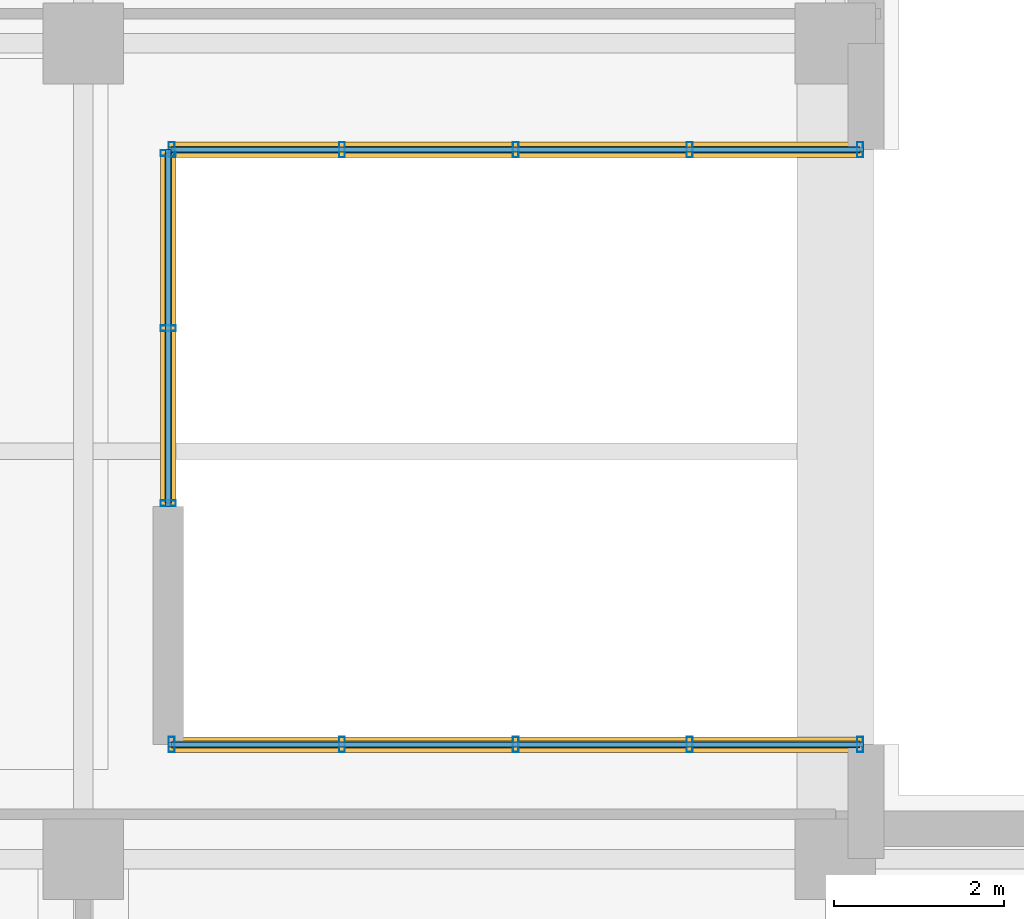
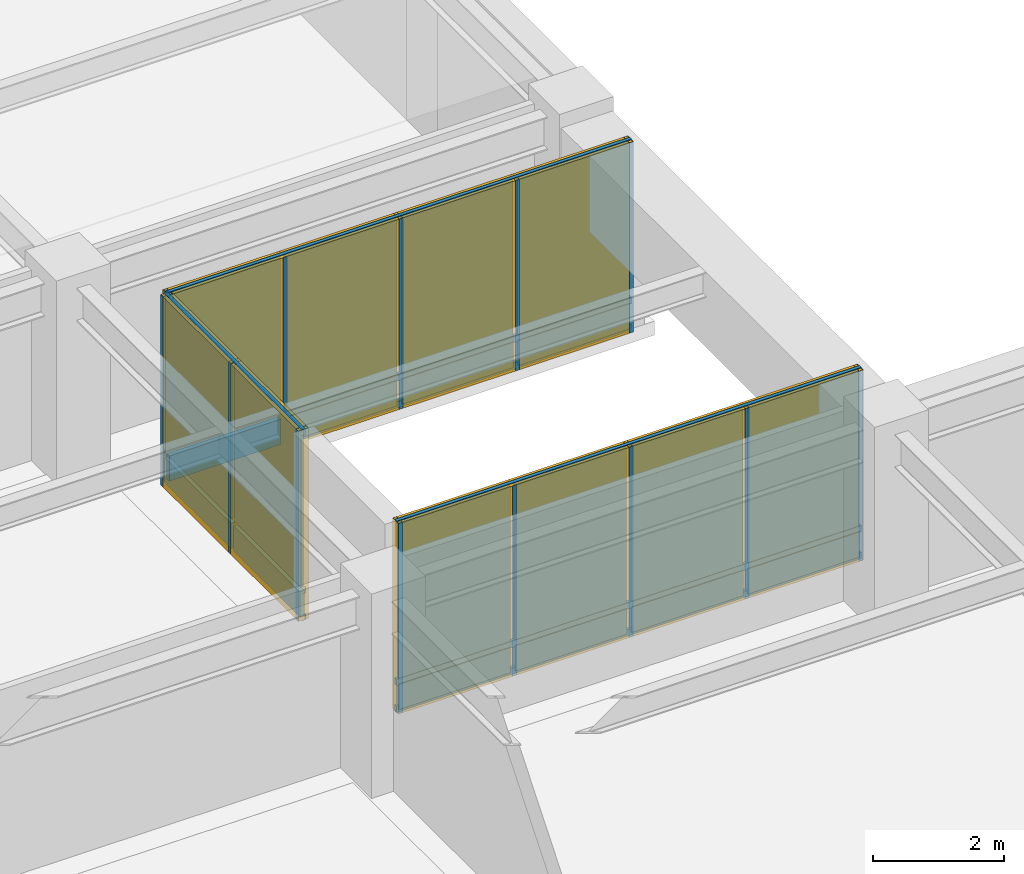
# One storey, part 8 of 13: 22 members, 20 plates, 3 curtain walls.
"""IFC4 building model written with IfcOpenShell, lengths in metres."""

from ifc_helpers import new_model, si_unit, direction, frame, frame_2d, origin, origin_2d, place, context, subcontext, project, spatial, rectangle, hollow_rectangle, extrude, material, layer, layer_set, material_profile, profile_set, type_object, element, aggregate, save


model = new_model("IFC4")

# Units and contexts
model_context = context("Model", 3, precision=1e-05, world=origin(), true_north=direction((0.0, 1.0)))
body_context = subcontext(model_context, "Body", "Model", "MODEL_VIEW")
ifc_project = project(units=[si_unit("LENGTHUNIT", "METRE"), si_unit("AREAUNIT", "SQUARE_METRE"), si_unit("VOLUMEUNIT", "CUBIC_METRE"), si_unit("PLANEANGLEUNIT", "RADIAN"), si_unit("MASSUNIT", "GRAM", prefix="KILO")], contexts=[model_context])

# Member
ifc_material_1 = material(Name="Anodized Aluminium 6063-T6", Category="aluminium")
ifc_material_profile_1 = material_profile(ifc_material_1, hollow_rectangle(XDim=0.070068359375, YDim=0.179931640625, WallThickness=0.00390625, at=origin_2d()), Name="Anodized Aluminium 6063-T6")
ifc_profile_set_1 = profile_set([ifc_material_profile_1], Name="Anodized Aluminium 6063-T6")
member_type_1 = type_object("IfcMemberType", Name="Curtain Wall Mullion 180", PredefinedType="MULLION", material=ifc_profile_set_1)
site_placement = place(None, origin())
building_placement = place(site_placement, origin())
storey_placement = place(building_placement, frame((0.0, 0.0, 171.199951171875)))
member_1_placement = place(storey_placement, frame((29.840087890625, 46.0, 0.0), z_axis=(0.0, 0.0, 1.0), x_axis=(1.0, 0.0, 0.0)))
member_1 = element("IfcMember", 1, at=member_1_placement, type_object=member_type_1, Name="Curtain Wall Mullion CW-L43-SGN-M01", PredefinedType="MULLION", context=body_context, shape_type="SweptSolid", body=[
    extrude(hollow_rectangle(XDim=0.070068359375, YDim=0.179931640625, WallThickness=0.00390625, at=origin_2d()), origin(), (0.0, 0.0, 1.0), 3.5400390625),
])

member_2_placement = place(storey_placement, frame((31.844970703125, 46.0, 0.0), z_axis=(0.0, 0.0, 1.0), x_axis=(1.0, 0.0, 0.0)))
member_2 = element("IfcMember", 2, at=member_2_placement, type_object=member_type_1, Name="Curtain Wall Mullion CW-L43-SGN-M02", PredefinedType="MULLION", context=body_context, shape_type="SweptSolid", body=[
    extrude(hollow_rectangle(XDim=0.070068359375, YDim=0.179931640625, WallThickness=0.00390625, at=origin_2d()), origin(), (0.0, 0.0, 1.0), 3.5400390625),
])

member_3_placement = place(storey_placement, frame((33.889892578125, 46.0, 0.0), z_axis=(0.0, 0.0, 1.0), x_axis=(1.0, 0.0, 0.0)))
member_3 = element("IfcMember", 3, at=member_3_placement, type_object=member_type_1, Name="Curtain Wall Mullion CW-L43-SGN-M03", PredefinedType="MULLION", context=body_context, shape_type="SweptSolid", body=[
    extrude(hollow_rectangle(XDim=0.070068359375, YDim=0.179931640625, WallThickness=0.00390625, at=origin_2d()), origin(), (0.0, 0.0, 1.0), 3.5400390625),
])

member_4_placement = place(storey_placement, frame((35.93505859375, 46.0, 0.0), z_axis=(0.0, 0.0, 1.0), x_axis=(1.0, 0.0, 0.0)))
member_4 = element("IfcMember", 4, at=member_4_placement, type_object=member_type_1, Name="Curtain Wall Mullion CW-L43-SGN-M04", PredefinedType="MULLION", context=body_context, shape_type="SweptSolid", body=[
    extrude(hollow_rectangle(XDim=0.070068359375, YDim=0.179931640625, WallThickness=0.00390625, at=origin_2d()), origin(), (0.0, 0.0, 1.0), 3.5400390625),
])

member_5_placement = place(storey_placement, frame((37.93994140625, 46.0, 0.0), z_axis=(0.0, 0.0, 1.0), x_axis=(1.0, 0.0, 0.0)))
member_5 = element("IfcMember", 5, at=member_5_placement, type_object=member_type_1, Name="Curtain Wall Mullion CW-L43-SGN-M05", PredefinedType="MULLION", context=body_context, shape_type="SweptSolid", body=[
    extrude(hollow_rectangle(XDim=0.070068359375, YDim=0.179931640625, WallThickness=0.00390625, at=origin_2d()), origin(), (0.0, 0.0, 1.0), 3.5400390625),
])

member_6_placement = place(storey_placement, frame((29.840087890625, 39.0, 0.0), z_axis=(0.0, 0.0, 1.0), x_axis=(1.0, 0.0, 0.0)))
member_6 = element("IfcMember", 6, at=member_6_placement, type_object=member_type_1, Name="Curtain Wall Mullion CW-L43-SGS-M01", PredefinedType="MULLION", context=body_context, shape_type="SweptSolid", body=[
    extrude(hollow_rectangle(XDim=0.070068359375, YDim=0.179931640625, WallThickness=0.00390625, at=origin_2d()), origin(), (0.0, 0.0, 1.0), 3.5400390625),
])

member_7_placement = place(storey_placement, frame((31.844970703125, 39.0, 0.0), z_axis=(0.0, 0.0, 1.0), x_axis=(1.0, 0.0, 0.0)))
member_7 = element("IfcMember", 7, at=member_7_placement, type_object=member_type_1, Name="Curtain Wall Mullion CW-L43-SGS-M02", PredefinedType="MULLION", context=body_context, shape_type="SweptSolid", body=[
    extrude(hollow_rectangle(XDim=0.070068359375, YDim=0.179931640625, WallThickness=0.00390625, at=origin_2d()), origin(), (0.0, 0.0, 1.0), 3.5400390625),
])

member_8_placement = place(storey_placement, frame((33.889892578125, 39.0, 0.0), z_axis=(0.0, 0.0, 1.0), x_axis=(1.0, 0.0, 0.0)))
member_8 = element("IfcMember", 8, at=member_8_placement, type_object=member_type_1, Name="Curtain Wall Mullion CW-L43-SGS-M03", PredefinedType="MULLION", context=body_context, shape_type="SweptSolid", body=[
    extrude(hollow_rectangle(XDim=0.070068359375, YDim=0.179931640625, WallThickness=0.00390625, at=origin_2d()), origin(), (0.0, 0.0, 1.0), 3.5400390625),
])

member_9_placement = place(storey_placement, frame((35.93505859375, 39.0, 0.0), z_axis=(0.0, 0.0, 1.0), x_axis=(1.0, 0.0, 0.0)))
member_9 = element("IfcMember", 9, at=member_9_placement, type_object=member_type_1, Name="Curtain Wall Mullion CW-L43-SGS-M04", PredefinedType="MULLION", context=body_context, shape_type="SweptSolid", body=[
    extrude(hollow_rectangle(XDim=0.070068359375, YDim=0.179931640625, WallThickness=0.00390625, at=origin_2d()), origin(), (0.0, 0.0, 1.0), 3.5400390625),
])

member_10_placement = place(storey_placement, frame((37.93994140625, 39.0, 0.0), z_axis=(0.0, 0.0, 1.0), x_axis=(1.0, 0.0, 0.0)))
member_10 = element("IfcMember", 10, at=member_10_placement, type_object=member_type_1, Name="Curtain Wall Mullion CW-L43-SGS-M05", PredefinedType="MULLION", context=body_context, shape_type="SweptSolid", body=[
    extrude(hollow_rectangle(XDim=0.070068359375, YDim=0.179931640625, WallThickness=0.00390625, at=origin_2d()), origin(), (0.0, 0.0, 1.0), 3.5400390625),
])

member_11_placement = place(storey_placement, frame((29.800048828125, 41.840087890625, 0.0), z_axis=(0.0, 0.0, 1.0), x_axis=(0.0, 1.0, 0.0)))
member_11 = element("IfcMember", 11, at=member_11_placement, type_object=member_type_1, Name="Curtain Wall Mullion CW-L43-SGW-M01", PredefinedType="MULLION", context=body_context, shape_type="SweptSolid", body=[
    extrude(hollow_rectangle(XDim=0.070068359375, YDim=0.179931640625, WallThickness=0.00390625, at=origin_2d()), origin(), (0.0, 0.0, 1.0), 3.5400390625),
])

member_12_placement = place(storey_placement, frame((29.800048828125, 43.89990234375, 0.0), z_axis=(0.0, 0.0, 1.0), x_axis=(0.0, 1.0, 0.0)))
member_12 = element("IfcMember", 12, at=member_12_placement, type_object=member_type_1, Name="Curtain Wall Mullion CW-L43-SGW-M02", PredefinedType="MULLION", context=body_context, shape_type="SweptSolid", body=[
    extrude(hollow_rectangle(XDim=0.070068359375, YDim=0.179931640625, WallThickness=0.00390625, at=origin_2d()), origin(), (0.0, 0.0, 1.0), 3.5400390625),
])

member_13_placement = place(storey_placement, frame((29.800048828125, 45.9599609375, 0.0), z_axis=(0.0, 0.0, 1.0), x_axis=(0.0, 1.0, 0.0)))
member_13 = element("IfcMember", 13, at=member_13_placement, type_object=member_type_1, Name="Curtain Wall Mullion CW-L43-SGW-M03", PredefinedType="MULLION", context=body_context, shape_type="SweptSolid", body=[
    extrude(hollow_rectangle(XDim=0.070068359375, YDim=0.179931640625, WallThickness=0.00390625, at=origin_2d()), origin(), (0.0, 0.0, 1.0), 3.5400390625),
])

ifc_material_profile_2 = material_profile(ifc_material_1, hollow_rectangle(XDim=0.06005859375, YDim=0.1201171875, WallThickness=0.00341796875, at=origin_2d()), Name="Anodized Aluminium 6063-T6")
ifc_profile_set_2 = profile_set([ifc_material_profile_2], Name="Anodized Aluminium 6063-T6")
member_type_2 = type_object("IfcMemberType", Name="Curtain Wall Transom 120", PredefinedType="USERDEFINED", material=ifc_profile_set_2)
member_14_placement = place(storey_placement, frame((29.800048828125, 46.0, 0.050048828125), z_axis=(1.0, 0.0, 0.0), x_axis=(0.0, 1.0, 0.0)))
member_14 = element("IfcMember", 14, at=member_14_placement, type_object=member_type_2, Name="Curtain Wall Transom CW-L43-SGN-T01", ObjectType="TRANSOM", PredefinedType="USERDEFINED", context=body_context, shape_type="SweptSolid", body=[
    extrude(hollow_rectangle(XDim=0.06005859375, YDim=0.1201171875, WallThickness=0.00341796875, at=origin_2d()), origin(), (0.0, 0.0, 1.0), 8.179931640625),
])

member_15_placement = place(storey_placement, frame((29.800048828125, 46.0, 0.550048828125), z_axis=(1.0, 0.0, 0.0), x_axis=(0.0, 1.0, 0.0)))
member_15 = element("IfcMember", 15, at=member_15_placement, type_object=member_type_2, Name="Curtain Wall Transom CW-L43-SGN-T02", ObjectType="TRANSOM", PredefinedType="USERDEFINED", context=body_context, shape_type="SweptSolid", body=[
    extrude(hollow_rectangle(XDim=0.06005859375, YDim=0.1201171875, WallThickness=0.00341796875, at=origin_2d()), origin(), (0.0, 0.0, 1.0), 8.179931640625),
])

member_16_placement = place(storey_placement, frame((29.800048828125, 46.0, 3.489990234375), z_axis=(1.0, 0.0, 0.0), x_axis=(0.0, 1.0, 0.0)))
member_16 = element("IfcMember", 16, at=member_16_placement, type_object=member_type_2, Name="Curtain Wall Transom CW-L43-SGN-T03", ObjectType="TRANSOM", PredefinedType="USERDEFINED", context=body_context, shape_type="SweptSolid", body=[
    extrude(hollow_rectangle(XDim=0.06005859375, YDim=0.1201171875, WallThickness=0.00341796875, at=origin_2d()), origin(), (0.0, 0.0, 1.0), 8.179931640625),
])

member_17_placement = place(storey_placement, frame((29.800048828125, 39.0, 0.050048828125), z_axis=(1.0, 0.0, 0.0), x_axis=(0.0, 1.0, 0.0)))
member_17 = element("IfcMember", 17, at=member_17_placement, type_object=member_type_2, Name="Curtain Wall Transom CW-L43-SGS-T01", ObjectType="TRANSOM", PredefinedType="USERDEFINED", context=body_context, shape_type="SweptSolid", body=[
    extrude(hollow_rectangle(XDim=0.06005859375, YDim=0.1201171875, WallThickness=0.00341796875, at=origin_2d()), origin(), (0.0, 0.0, 1.0), 8.179931640625),
])

member_18_placement = place(storey_placement, frame((29.800048828125, 39.0, 0.550048828125), z_axis=(1.0, 0.0, 0.0), x_axis=(0.0, 1.0, 0.0)))
member_18 = element("IfcMember", 18, at=member_18_placement, type_object=member_type_2, Name="Curtain Wall Transom CW-L43-SGS-T02", ObjectType="TRANSOM", PredefinedType="USERDEFINED", context=body_context, shape_type="SweptSolid", body=[
    extrude(hollow_rectangle(XDim=0.06005859375, YDim=0.1201171875, WallThickness=0.00341796875, at=origin_2d()), origin(), (0.0, 0.0, 1.0), 8.179931640625),
])

member_19_placement = place(storey_placement, frame((29.800048828125, 39.0, 3.489990234375), z_axis=(1.0, 0.0, 0.0), x_axis=(0.0, 1.0, 0.0)))
member_19 = element("IfcMember", 19, at=member_19_placement, type_object=member_type_2, Name="Curtain Wall Transom CW-L43-SGS-T03", ObjectType="TRANSOM", PredefinedType="USERDEFINED", context=body_context, shape_type="SweptSolid", body=[
    extrude(hollow_rectangle(XDim=0.06005859375, YDim=0.1201171875, WallThickness=0.00341796875, at=origin_2d()), origin(), (0.0, 0.0, 1.0), 8.179931640625),
])

member_20_placement = place(storey_placement, frame((29.800048828125, 41.800048828125, 0.050048828125), z_axis=(0.0, 1.0, 0.0), x_axis=(-1.0, 0.0, 0.0)))
member_20 = element("IfcMember", 20, at=member_20_placement, type_object=member_type_2, Name="Curtain Wall Transom CW-L43-SGW-T01", ObjectType="TRANSOM", PredefinedType="USERDEFINED", context=body_context, shape_type="SweptSolid", body=[
    extrude(hollow_rectangle(XDim=0.06005859375, YDim=0.1201171875, WallThickness=0.00341796875, at=origin_2d()), origin(), (0.0, 0.0, 1.0), 4.199951171875),
])

member_21_placement = place(storey_placement, frame((29.800048828125, 41.800048828125, 0.550048828125), z_axis=(0.0, 1.0, 0.0), x_axis=(-1.0, 0.0, 0.0)))
member_21 = element("IfcMember", 21, at=member_21_placement, type_object=member_type_2, Name="Curtain Wall Transom CW-L43-SGW-T02", ObjectType="TRANSOM", PredefinedType="USERDEFINED", context=body_context, shape_type="SweptSolid", body=[
    extrude(hollow_rectangle(XDim=0.06005859375, YDim=0.1201171875, WallThickness=0.00341796875, at=origin_2d()), origin(), (0.0, 0.0, 1.0), 4.199951171875),
])

member_22_placement = place(storey_placement, frame((29.800048828125, 41.800048828125, 3.489990234375), z_axis=(0.0, 1.0, 0.0), x_axis=(-1.0, 0.0, 0.0)))
member_22 = element("IfcMember", 22, at=member_22_placement, type_object=member_type_2, Name="Curtain Wall Transom CW-L43-SGW-T03", ObjectType="TRANSOM", PredefinedType="USERDEFINED", context=body_context, shape_type="SweptSolid", body=[
    extrude(hollow_rectangle(XDim=0.06005859375, YDim=0.1201171875, WallThickness=0.00341796875, at=origin_2d()), origin(), (0.0, 0.0, 1.0), 4.199951171875),
])

# Plate
ifc_material_2 = material(Name="Bird-Friendly Fritted Triple Glazing", Category="glass")
ifc_layer_1 = layer(ifc_material_2, 0.052001953125, Name="Bird-Friendly Fritted Triple Glazing")
ifc_layer_set_1 = layer_set([ifc_layer_1], Name="Bird-Friendly Fritted Triple Glazing")
plate_type_1 = type_object("IfcPlateType", Name="Plate CWGlazing 52", PredefinedType="CURTAIN_PANEL", material=ifc_layer_set_1)
plate_1_placement = place(storey_placement, frame((30.822509765625, 46.0, 0.59033203125), z_axis=(0.0, 0.0, 1.0), x_axis=(1.0, 0.0, 0.0)))
plate_1 = element("IfcPlate", 23, at=plate_1_placement, type_object=plate_type_1, Name="Vision Glazing Panel CW-L43-SGN-GL01", PredefinedType="CURTAIN_PANEL", context=body_context, shape_type="SweptSolid", body=[
    extrude(rectangle(XDim=1.965087890625, YDim=0.052001953125, at=origin_2d()), origin(), (0.0, 0.0, 1.0), 2.909912109375),
])

plate_2_placement = place(storey_placement, frame((32.867431640625, 46.0, 0.59033203125), z_axis=(0.0, 0.0, 1.0), x_axis=(1.0, 0.0, 0.0)))
plate_2 = element("IfcPlate", 24, at=plate_2_placement, type_object=plate_type_1, Name="Vision Glazing Panel CW-L43-SGN-GL02", PredefinedType="CURTAIN_PANEL", context=body_context, shape_type="SweptSolid", body=[
    extrude(rectangle(XDim=1.965087890625, YDim=0.052001953125, at=origin_2d()), origin(), (0.0, 0.0, 1.0), 2.909912109375),
])

plate_3_placement = place(storey_placement, frame((34.91259765625, 46.0, 0.59033203125), z_axis=(0.0, 0.0, 1.0), x_axis=(1.0, 0.0, 0.0)))
plate_3 = element("IfcPlate", 25, at=plate_3_placement, type_object=plate_type_1, Name="Vision Glazing Panel CW-L43-SGN-GL03", PredefinedType="CURTAIN_PANEL", context=body_context, shape_type="SweptSolid", body=[
    extrude(rectangle(XDim=1.965087890625, YDim=0.052001953125, at=origin_2d()), origin(), (0.0, 0.0, 1.0), 2.909912109375),
])

plate_4_placement = place(storey_placement, frame((36.95751953125, 46.0, 0.59033203125), z_axis=(0.0, 0.0, 1.0), x_axis=(1.0, 0.0, 0.0)))
plate_4 = element("IfcPlate", 26, at=plate_4_placement, type_object=plate_type_1, Name="Vision Glazing Panel CW-L43-SGN-GL04", PredefinedType="CURTAIN_PANEL", context=body_context, shape_type="SweptSolid", body=[
    extrude(rectangle(XDim=1.965087890625, YDim=0.052001953125, at=origin_2d()), origin(), (0.0, 0.0, 1.0), 2.909912109375),
])

plate_5_placement = place(storey_placement, frame((30.822509765625, 39.0, 0.59033203125), z_axis=(0.0, 0.0, 1.0), x_axis=(1.0, 0.0, 0.0)))
plate_5 = element("IfcPlate", 27, at=plate_5_placement, type_object=plate_type_1, Name="Vision Glazing Panel CW-L43-SGS-GL01", PredefinedType="CURTAIN_PANEL", context=body_context, shape_type="SweptSolid", body=[
    extrude(rectangle(XDim=1.965087890625, YDim=0.052001953125, at=origin_2d()), origin(), (0.0, 0.0, 1.0), 2.909912109375),
])

plate_6_placement = place(storey_placement, frame((32.867431640625, 39.0, 0.59033203125), z_axis=(0.0, 0.0, 1.0), x_axis=(1.0, 0.0, 0.0)))
plate_6 = element("IfcPlate", 28, at=plate_6_placement, type_object=plate_type_1, Name="Vision Glazing Panel CW-L43-SGS-GL02", PredefinedType="CURTAIN_PANEL", context=body_context, shape_type="SweptSolid", body=[
    extrude(rectangle(XDim=1.965087890625, YDim=0.052001953125, at=origin_2d()), origin(), (0.0, 0.0, 1.0), 2.909912109375),
])

plate_7_placement = place(storey_placement, frame((34.91259765625, 39.0, 0.59033203125), z_axis=(0.0, 0.0, 1.0), x_axis=(1.0, 0.0, 0.0)))
plate_7 = element("IfcPlate", 29, at=plate_7_placement, type_object=plate_type_1, Name="Vision Glazing Panel CW-L43-SGS-GL03", PredefinedType="CURTAIN_PANEL", context=body_context, shape_type="SweptSolid", body=[
    extrude(rectangle(XDim=1.965087890625, YDim=0.052001953125, at=origin_2d()), origin(), (0.0, 0.0, 1.0), 2.909912109375),
])

plate_8_placement = place(storey_placement, frame((36.95751953125, 39.0, 0.59033203125), z_axis=(0.0, 0.0, 1.0), x_axis=(1.0, 0.0, 0.0)))
plate_8 = element("IfcPlate", 30, at=plate_8_placement, type_object=plate_type_1, Name="Vision Glazing Panel CW-L43-SGS-GL04", PredefinedType="CURTAIN_PANEL", context=body_context, shape_type="SweptSolid", body=[
    extrude(rectangle(XDim=1.965087890625, YDim=0.052001953125, at=origin_2d()), origin(), (0.0, 0.0, 1.0), 2.909912109375),
])

plate_9_placement = place(storey_placement, frame((29.800048828125, 42.85009765625, 0.59033203125), z_axis=(0.0, 0.0, 1.0), x_axis=(0.0, 1.0, 0.0)))
plate_9 = element("IfcPlate", 31, at=plate_9_placement, type_object=plate_type_1, Name="Vision Glazing Panel CW-L43-SGW-GL01", PredefinedType="CURTAIN_PANEL", context=body_context, shape_type="SweptSolid", body=[
    extrude(rectangle(XDim=2.02001953125, YDim=0.052001953125, at=origin_2d()), origin(), (0.0, 0.0, 1.0), 2.909912109375),
])

plate_10_placement = place(storey_placement, frame((29.800048828125, 44.949951171875, 0.59033203125), z_axis=(0.0, 0.0, 1.0), x_axis=(0.0, 1.0, 0.0)))
plate_10 = element("IfcPlate", 32, at=plate_10_placement, type_object=plate_type_1, Name="Vision Glazing Panel CW-L43-SGW-GL02", PredefinedType="CURTAIN_PANEL", context=body_context, shape_type="SweptSolid", body=[
    extrude(rectangle(XDim=2.02001953125, YDim=0.052001953125, at=origin_2d()), origin(), (0.0, 0.0, 1.0), 2.909912109375),
])

ifc_material_3 = material(Name="Insulated Aluminium Spandrel Panel", Category="aluminium")
ifc_layer_2 = layer(ifc_material_3, 0.080078125, Name="Insulated Aluminium Spandrel Panel")
ifc_layer_set_2 = layer_set([ifc_layer_2], Name="Insulated Aluminium Spandrel Panel")
plate_type_2 = type_object("IfcPlateType", Name="Plate CWSpandrel 80", PredefinedType="SHEET", material=ifc_layer_set_2)
plate_11_placement = place(storey_placement, frame((30.822509765625, 46.0, 0.0400390625), z_axis=(0.0, 0.0, 1.0), x_axis=(1.0, 0.0, 0.0)))
plate_11 = element("IfcPlate", 33, at=plate_11_placement, type_object=plate_type_2, Name="Spandrel Panel CW-L43-SGN-SP01", PredefinedType="SHEET", context=body_context, shape_type="SweptSolid", body=[
    extrude(rectangle(XDim=1.965087890625, YDim=0.080078125, at=origin_2d()), origin(), (0.0, 0.0, 1.0), 0.469970703125),
])

plate_12_placement = place(storey_placement, frame((32.867431640625, 46.0, 0.0400390625), z_axis=(0.0, 0.0, 1.0), x_axis=(1.0, 0.0, 0.0)))
plate_12 = element("IfcPlate", 34, at=plate_12_placement, type_object=plate_type_2, Name="Spandrel Panel CW-L43-SGN-SP02", PredefinedType="SHEET", context=body_context, shape_type="SweptSolid", body=[
    extrude(rectangle(XDim=1.965087890625, YDim=0.080078125, at=origin_2d()), origin(), (0.0, 0.0, 1.0), 0.469970703125),
])

plate_13_placement = place(storey_placement, frame((34.91259765625, 46.0, 0.0400390625), z_axis=(0.0, 0.0, 1.0), x_axis=(1.0, 0.0, 0.0)))
plate_13 = element("IfcPlate", 35, at=plate_13_placement, type_object=plate_type_2, Name="Spandrel Panel CW-L43-SGN-SP03", PredefinedType="SHEET", context=body_context, shape_type="SweptSolid", body=[
    extrude(rectangle(XDim=1.965087890625, YDim=0.080078125, at=origin_2d()), origin(), (0.0, 0.0, 1.0), 0.469970703125),
])

plate_14_placement = place(storey_placement, frame((36.95751953125, 46.0, 0.0400390625), z_axis=(0.0, 0.0, 1.0), x_axis=(1.0, 0.0, 0.0)))
plate_14 = element("IfcPlate", 36, at=plate_14_placement, type_object=plate_type_2, Name="Spandrel Panel CW-L43-SGN-SP04", PredefinedType="SHEET", context=body_context, shape_type="SweptSolid", body=[
    extrude(rectangle(XDim=1.965087890625, YDim=0.080078125, at=origin_2d()), origin(), (0.0, 0.0, 1.0), 0.469970703125),
])

plate_15_placement = place(storey_placement, frame((30.822509765625, 39.0, 0.0400390625), z_axis=(0.0, 0.0, 1.0), x_axis=(1.0, 0.0, 0.0)))
plate_15 = element("IfcPlate", 37, at=plate_15_placement, type_object=plate_type_2, Name="Spandrel Panel CW-L43-SGS-SP01", PredefinedType="SHEET", context=body_context, shape_type="SweptSolid", body=[
    extrude(rectangle(XDim=1.965087890625, YDim=0.080078125, at=origin_2d()), origin(), (0.0, 0.0, 1.0), 0.469970703125),
])

plate_16_placement = place(storey_placement, frame((32.867431640625, 39.0, 0.0400390625), z_axis=(0.0, 0.0, 1.0), x_axis=(1.0, 0.0, 0.0)))
plate_16 = element("IfcPlate", 38, at=plate_16_placement, type_object=plate_type_2, Name="Spandrel Panel CW-L43-SGS-SP02", PredefinedType="SHEET", context=body_context, shape_type="SweptSolid", body=[
    extrude(rectangle(XDim=1.965087890625, YDim=0.080078125, at=origin_2d()), origin(), (0.0, 0.0, 1.0), 0.469970703125),
])

plate_17_placement = place(storey_placement, frame((34.91259765625, 39.0, 0.0400390625), z_axis=(0.0, 0.0, 1.0), x_axis=(1.0, 0.0, 0.0)))
plate_17 = element("IfcPlate", 39, at=plate_17_placement, type_object=plate_type_2, Name="Spandrel Panel CW-L43-SGS-SP03", PredefinedType="SHEET", context=body_context, shape_type="SweptSolid", body=[
    extrude(rectangle(XDim=1.965087890625, YDim=0.080078125, at=origin_2d()), origin(), (0.0, 0.0, 1.0), 0.469970703125),
])

plate_18_placement = place(storey_placement, frame((36.95751953125, 39.0, 0.0400390625), z_axis=(0.0, 0.0, 1.0), x_axis=(1.0, 0.0, 0.0)))
plate_18 = element("IfcPlate", 40, at=plate_18_placement, type_object=plate_type_2, Name="Spandrel Panel CW-L43-SGS-SP04", PredefinedType="SHEET", context=body_context, shape_type="SweptSolid", body=[
    extrude(rectangle(XDim=1.965087890625, YDim=0.080078125, at=origin_2d()), origin(), (0.0, 0.0, 1.0), 0.469970703125),
])

plate_19_placement = place(storey_placement, frame((29.800048828125, 42.85009765625, 0.0400390625), z_axis=(0.0, 0.0, 1.0), x_axis=(0.0, 1.0, 0.0)))
plate_19 = element("IfcPlate", 41, at=plate_19_placement, type_object=plate_type_2, Name="Spandrel Panel CW-L43-SGW-SP01", PredefinedType="SHEET", context=body_context, shape_type="SweptSolid", body=[
    extrude(rectangle(XDim=2.02001953125, YDim=0.080078125, at=origin_2d()), origin(), (0.0, 0.0, 1.0), 0.469970703125),
])

plate_20_placement = place(storey_placement, frame((29.800048828125, 44.949951171875, 0.0400390625), z_axis=(0.0, 0.0, 1.0), x_axis=(0.0, 1.0, 0.0)))
plate_20 = element("IfcPlate", 42, at=plate_20_placement, type_object=plate_type_2, Name="Spandrel Panel CW-L43-SGW-SP02", PredefinedType="SHEET", context=body_context, shape_type="SweptSolid", body=[
    extrude(rectangle(XDim=2.02001953125, YDim=0.080078125, at=origin_2d()), origin(), (0.0, 0.0, 1.0), 0.469970703125),
])

# Site, building, storey
site = spatial("IfcSite", under=ifc_project, at=site_placement, CompositionType="ELEMENT")
building = spatial("IfcBuilding", under=site, at=building_placement, Name="Norrvale University Quadrangle", CompositionType="ELEMENT")
storey = spatial("IfcBuildingStorey", under=building, at=storey_placement, Name="L43", CompositionType="ELEMENT", Elevation=171.199951171875)

# Curtain wall
ifc_material_4 = material(Name="Anodized Aluminium and Triple Glazing", Category="glass")
curtain_wall_type = type_object("IfcCurtainWallType", Name="Curtain Wall System 2 Sky Garden", PredefinedType="NOTDEFINED", material=ifc_material_4)
curtain_wall_1_placement = place(storey_placement, frame((29.800048828125, 46.0, 0.0), z_axis=(0.0, 0.0, 1.0), x_axis=(1.0, 0.0, 0.0)))
curtain_wall_1 = element("IfcCurtainWall", 43, at=curtain_wall_1_placement, inside=storey, type_object=curtain_wall_type, Name="Curtain Wall CW System 2 Sky Garden CW-L43-SGN", PredefinedType="NOTDEFINED", context=body_context, shape_type="SweptSolid", body=[
    extrude(rectangle(XDim=8.179931640625, YDim=0.179931640625, at=frame_2d((4.08984375, 0.0))), origin(), (0.0, 0.0, 1.0), 3.5400390625),
])

aggregate(curtain_wall_1, [member_1, member_2, member_3, member_4, member_5, member_14, member_15, member_16, plate_11, plate_1, plate_12, plate_2, plate_13, plate_3, plate_14, plate_4])

curtain_wall_2_placement = place(storey_placement, frame((29.800048828125, 39.0, 0.0), z_axis=(0.0, 0.0, 1.0), x_axis=(1.0, 0.0, 0.0)))
curtain_wall_2 = element("IfcCurtainWall", 44, at=curtain_wall_2_placement, inside=storey, type_object=curtain_wall_type, Name="Curtain Wall CW System 2 Sky Garden CW-L43-SGS", PredefinedType="NOTDEFINED", context=body_context, shape_type="SweptSolid", body=[
    extrude(rectangle(XDim=8.179931640625, YDim=0.179931640625, at=frame_2d((4.08984375, 0.0))), origin(), (0.0, 0.0, 1.0), 3.5400390625),
])

aggregate(curtain_wall_2, [member_6, member_7, member_8, member_9, member_10, member_17, member_18, member_19, plate_15, plate_5, plate_16, plate_6, plate_17, plate_7, plate_18, plate_8])

curtain_wall_3_placement = place(storey_placement, frame((29.800048828125, 41.800048828125, 0.0), z_axis=(0.0, 0.0, 1.0), x_axis=(0.0, 1.0, 0.0)))
curtain_wall_3 = element("IfcCurtainWall", 45, at=curtain_wall_3_placement, inside=storey, type_object=curtain_wall_type, Name="Curtain Wall CW System 2 Sky Garden CW-L43-SGW", PredefinedType="NOTDEFINED", context=body_context, shape_type="SweptSolid", body=[
    extrude(rectangle(XDim=4.199951171875, YDim=0.179931640625, at=frame_2d((2.10009765625, 0.0))), origin(), (0.0, 0.0, 1.0), 3.5400390625),
])

aggregate(curtain_wall_3, [member_11, member_12, member_13, member_20, member_21, member_22, plate_19, plate_9, plate_20, plate_10])

save(model, "model.ifc")
